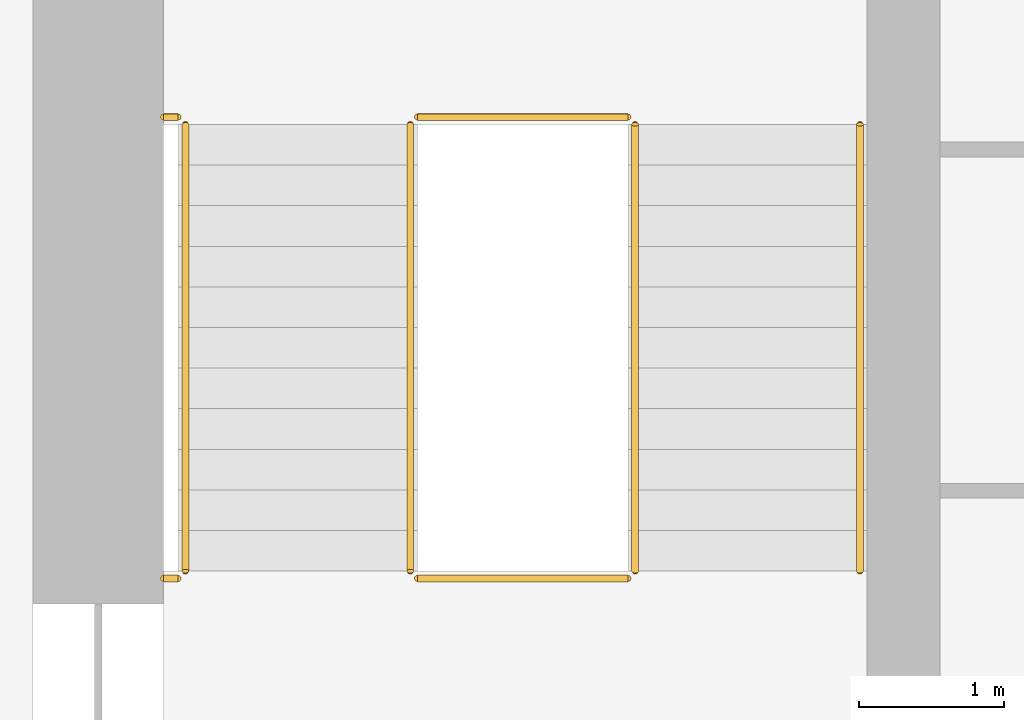
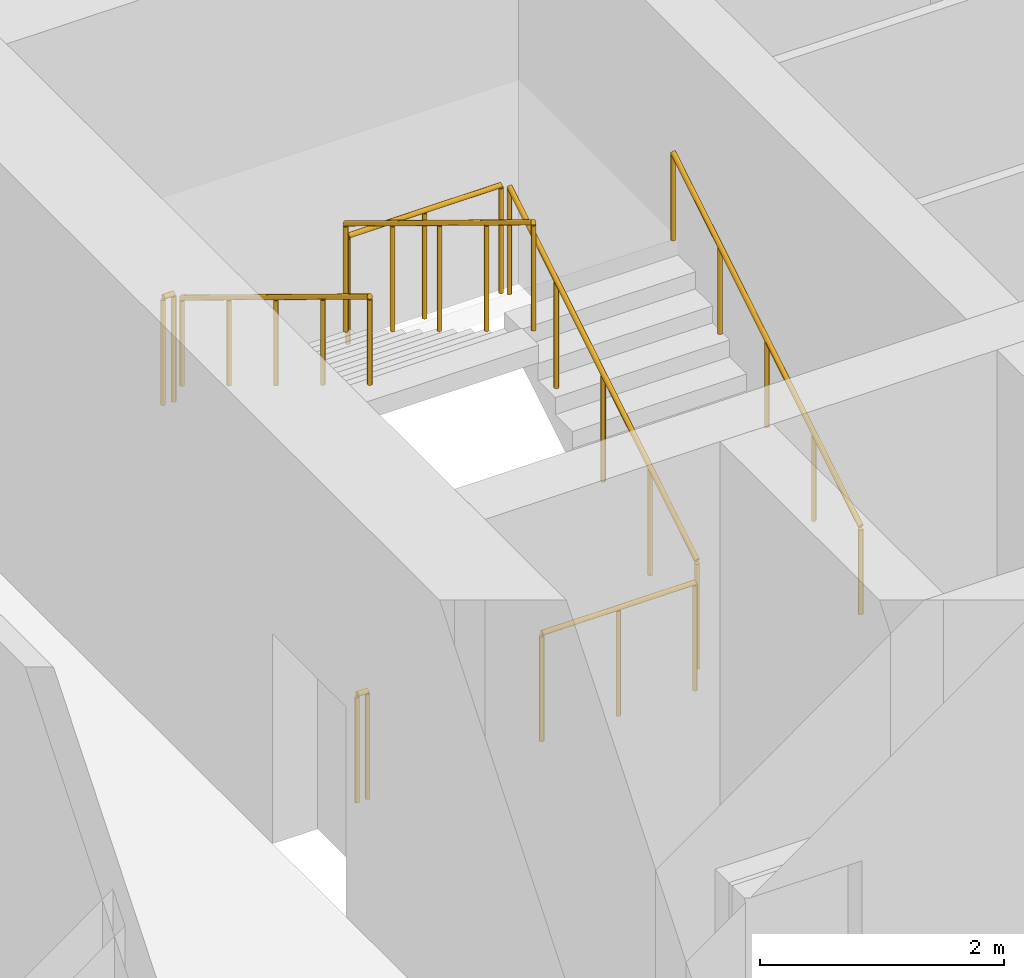
# One storey, part 14 of 17: 8 railings.
"""IFC4 building model written with IfcOpenShell, lengths in metres."""

from ifc_helpers import new_model, si_unit, direction, frame, origin, origin_2d, place, context, subcontext, project, spatial, circle, extrude, material, type_object, element, save


model = new_model("IFC4")

# Units and contexts
model_context = context("Model", 3, precision=1e-05, world=origin(), true_north=direction((0.0, 1.0)))
body_context = subcontext(model_context, "Body", "Model", "MODEL_VIEW")
ifc_project = project(units=[si_unit("LENGTHUNIT", "METRE"), si_unit("AREAUNIT", "SQUARE_METRE"), si_unit("VOLUMEUNIT", "CUBIC_METRE"), si_unit("PLANEANGLEUNIT", "RADIAN"), si_unit("MASSUNIT", "GRAM", prefix="KILO")], contexts=[model_context])

# Site, building, storey
site_placement = place(None, origin())
site = spatial("IfcSite", under=ifc_project, at=site_placement, CompositionType="ELEMENT")
building_placement = place(site_placement, origin())
building = spatial("IfcBuilding", under=site, at=building_placement, Name="Corbel Stack Research Tower", CompositionType="ELEMENT")
storey_placement = place(building_placement, frame((0.0, 0.0, 129.0)))
storey = spatial("IfcBuildingStorey", under=building, at=storey_placement, Name="L29", CompositionType="ELEMENT", Elevation=129.0)

# Railings
ifc_material_1 = material(Name="Steel S355", Category="steel")
railing_type_1 = type_object("IfcRailingType", Name="Stair guard 1100", PredefinedType="GUARDRAIL", material=ifc_material_1)
railing_1_placement = place(storey_placement, frame((-6.35009765625, 11.89990234375, 0.1708984375)))
element("IfcRailing", 1, at=railing_1_placement, inside=storey, type_object=railing_type_1, Name="L29 ST-W2 stair guard 1", PredefinedType="GUARDRAIL", context=body_context, shape_type="SweptSolid", body=[
    extrude(circle(Radius=0.02392578125, at=origin_2d()), frame((0.0, 0.0, 1.076171875), z_axis=(0.0, 0.853666305674, 0.52082035152), x_axis=(-1.0, 0.0, 0.0)), (0.0, 0.0, 1.0), 3.608154296875),
    extrude(circle(Radius=0.02099609375, at=origin_2d()), origin(), (0.0, 0.0, 1.0), 1.052001953125),
    extrude(circle(Radius=0.02099609375, at=origin_2d()), frame((0.0, 0.77001953125, 0.4697265625)), (0.0, 0.0, 1.0), 1.052001953125),
    extrude(circle(Radius=0.02099609375, at=origin_2d()), frame((0.0, 1.5400390625, 0.939453125)), (0.0, 0.0, 1.0), 1.052001953125),
    extrude(circle(Radius=0.02099609375, at=origin_2d()), frame((0.0, 2.31005859375, 1.409423828125)), (0.0, 0.0, 1.0), 1.052001953125),
    extrude(circle(Radius=0.02099609375, at=origin_2d()), frame((0.0, 3.080078125, 1.879150390625)), (0.0, 0.0, 1.0), 1.052001953125),
])
railing_2_placement = place(storey_placement, frame((-6.39990234375, 15.030029296875, 2.050048828125)))
element("IfcRailing", 2, at=railing_2_placement, inside=storey, type_object=railing_type_1, Name="L29 ST-W2 stair guard 2", PredefinedType="GUARDRAIL", context=body_context, shape_type="SweptSolid", body=[
    extrude(circle(Radius=0.02392578125, at=origin_2d()), frame((0.0, 0.0, 1.076171875), z_axis=(-1.0, 0.0, 0.0), x_axis=(0.0, -1.0, 0.0)), (0.0, 0.0, 1.0), 1.4501953125),
    extrude(circle(Radius=0.02099609375, at=origin_2d()), origin(), (0.0, 0.0, 1.0), 1.052001953125),
    extrude(circle(Radius=0.02099609375, at=origin_2d()), frame((-0.72509765625, 0.0, 0.0)), (0.0, 0.0, 1.0), 1.052001953125),
    extrude(circle(Radius=0.02099609375, at=origin_2d()), frame((-1.4501953125, 0.0, 0.0)), (0.0, 0.0, 1.0), 1.052001953125),
])
railing_3_placement = place(storey_placement, frame((-9.5, 15.030029296875, 2.050048828125)))
element("IfcRailing", 3, at=railing_3_placement, inside=storey, type_object=railing_type_1, Name="L29 ST-W2 stair guard 3", PredefinedType="GUARDRAIL", context=body_context, shape_type="SweptSolid", body=[
    extrude(circle(Radius=0.02392578125, at=origin_2d()), frame((0.0, 0.0, 1.076171875), z_axis=(-1.0, 0.0, 0.0), x_axis=(0.0, -1.0, 0.0)), (0.0, 0.0, 1.0), 0.10009765625),
    extrude(circle(Radius=0.02099609375, at=origin_2d()), origin(), (0.0, 0.0, 1.0), 1.052001953125),
    extrude(circle(Radius=0.02099609375, at=origin_2d()), frame((-0.10009765625, 0.0, 0.0)), (0.0, 0.0, 1.0), 1.052001953125),
])
railing_4_placement = place(storey_placement, frame((-7.89990234375, 14.97998046875, 2.220947265625)))
element("IfcRailing", 4, at=railing_4_placement, inside=storey, type_object=railing_type_1, Name="L29 ST-W2 stair guard 4", PredefinedType="GUARDRAIL", context=body_context, shape_type="SweptSolid", body=[
    extrude(circle(Radius=0.02392578125, at=origin_2d()), frame((0.0, 0.0, 1.076171875), z_axis=(0.0, -0.853666305674, 0.52082035152), x_axis=(1.0, 0.0, 0.0)), (0.0, 0.0, 1.0), 3.608154296875),
    extrude(circle(Radius=0.02099609375, at=origin_2d()), origin(), (0.0, 0.0, 1.0), 1.052001953125),
    extrude(circle(Radius=0.02099609375, at=origin_2d()), frame((0.0, -0.77001953125, 0.4697265625)), (0.0, 0.0, 1.0), 1.052001953125),
    extrude(circle(Radius=0.02099609375, at=origin_2d()), frame((0.0, -1.5400390625, 0.939453125)), (0.0, 0.0, 1.0), 1.052001953125),
    extrude(circle(Radius=0.02099609375, at=origin_2d()), frame((0.0, -2.31005859375, 1.409423828125)), (0.0, 0.0, 1.0), 1.052001953125),
    extrude(circle(Radius=0.02099609375, at=origin_2d()), frame((0.0, -3.080078125, 1.879150390625)), (0.0, 0.0, 1.0), 1.052001953125),
])
railing_5_placement = place(storey_placement, frame((-6.39990234375, 11.85009765625, 0.0)))
element("IfcRailing", 5, at=railing_5_placement, inside=storey, type_object=railing_type_1, Name="L29 ST-W2 stair guard 5", PredefinedType="GUARDRAIL", context=body_context, shape_type="SweptSolid", body=[
    extrude(circle(Radius=0.02392578125, at=origin_2d()), frame((0.0, 0.0, 1.076171875), z_axis=(-1.0, 0.0, 0.0), x_axis=(0.0, -1.0, 0.0)), (0.0, 0.0, 1.0), 1.4501953125),
    extrude(circle(Radius=0.02099609375, at=origin_2d()), origin(), (0.0, 0.0, 1.0), 1.052001953125),
    extrude(circle(Radius=0.02099609375, at=origin_2d()), frame((-0.72509765625, 0.0, 0.0)), (0.0, 0.0, 1.0), 1.052001953125),
    extrude(circle(Radius=0.02099609375, at=origin_2d()), frame((-1.4501953125, 0.0, 0.0)), (0.0, 0.0, 1.0), 1.052001953125),
])
railing_6_placement = place(storey_placement, frame((-9.5, 11.85009765625, 0.0)))
element("IfcRailing", 6, at=railing_6_placement, inside=storey, type_object=railing_type_1, Name="L29 ST-W2 stair guard 6", PredefinedType="GUARDRAIL", context=body_context, shape_type="SweptSolid", body=[
    extrude(circle(Radius=0.02392578125, at=origin_2d()), frame((0.0, 0.0, 1.076171875), z_axis=(-1.0, 0.0, 0.0), x_axis=(0.0, -1.0, 0.0)), (0.0, 0.0, 1.0), 0.10009765625),
    extrude(circle(Radius=0.02099609375, at=origin_2d()), origin(), (0.0, 0.0, 1.0), 1.052001953125),
    extrude(circle(Radius=0.02099609375, at=origin_2d()), frame((-0.10009765625, 0.0, 0.0)), (0.0, 0.0, 1.0), 1.052001953125),
])
ifc_material_2 = material(Name="Steel S355", Category="steel")
railing_type_2 = type_object("IfcRailingType", Name="Stair handrail 900", PredefinedType="HANDRAIL", material=ifc_material_2)
railing_7_placement = place(storey_placement, frame((-4.800048828125, 11.89990234375, 0.1708984375)))
element("IfcRailing", 7, at=railing_7_placement, inside=storey, type_object=railing_type_2, Name="L29 ST-W2 stair handrail 1", PredefinedType="HANDRAIL", context=body_context, shape_type="SweptSolid", body=[
    extrude(circle(Radius=0.02392578125, at=origin_2d()), frame((0.0, 0.0, 0.8759765625), z_axis=(0.0, 0.853666305674, 0.52082035152), x_axis=(-1.0, 0.0, 0.0)), (0.0, 0.0, 1.0), 3.608154296875),
    extrude(circle(Radius=0.02099609375, at=origin_2d()), origin(), (0.0, 0.0, 1.0), 0.851806640625),
    extrude(circle(Radius=0.02099609375, at=origin_2d()), frame((0.0, 0.77001953125, 0.4697265625)), (0.0, 0.0, 1.0), 0.851806640625),
    extrude(circle(Radius=0.02099609375, at=origin_2d()), frame((0.0, 1.5400390625, 0.939453125)), (0.0, 0.0, 1.0), 0.851806640625),
    extrude(circle(Radius=0.02099609375, at=origin_2d()), frame((0.0, 2.31005859375, 1.409423828125)), (0.0, 0.0, 1.0), 0.851806640625),
    extrude(circle(Radius=0.02099609375, at=origin_2d()), frame((0.0, 3.080078125, 1.879150390625)), (0.0, 0.0, 1.0), 0.851806640625),
])
railing_8_placement = place(storey_placement, frame((-9.449951171875, 14.97998046875, 2.220947265625)))
element("IfcRailing", 8, at=railing_8_placement, inside=storey, type_object=railing_type_2, Name="L29 ST-W2 stair handrail 2", PredefinedType="HANDRAIL", context=body_context, shape_type="SweptSolid", body=[
    extrude(circle(Radius=0.02392578125, at=origin_2d()), frame((0.0, 0.0, 0.8759765625), z_axis=(0.0, -0.853666305674, 0.52082035152), x_axis=(1.0, 0.0, 0.0)), (0.0, 0.0, 1.0), 3.608154296875),
    extrude(circle(Radius=0.02099609375, at=origin_2d()), origin(), (0.0, 0.0, 1.0), 0.851806640625),
    extrude(circle(Radius=0.02099609375, at=origin_2d()), frame((0.0, -0.77001953125, 0.4697265625)), (0.0, 0.0, 1.0), 0.851806640625),
    extrude(circle(Radius=0.02099609375, at=origin_2d()), frame((0.0, -1.5400390625, 0.939453125)), (0.0, 0.0, 1.0), 0.851806640625),
    extrude(circle(Radius=0.02099609375, at=origin_2d()), frame((0.0, -2.31005859375, 1.409423828125)), (0.0, 0.0, 1.0), 0.851806640625),
    extrude(circle(Radius=0.02099609375, at=origin_2d()), frame((0.0, -3.080078125, 1.879150390625)), (0.0, 0.0, 1.0), 0.851806640625),
])

save(model, "model.ifc")
